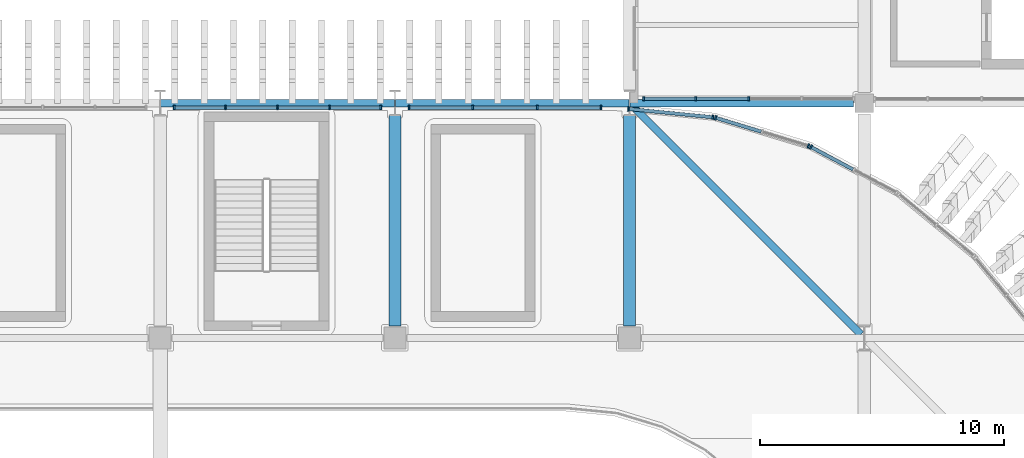
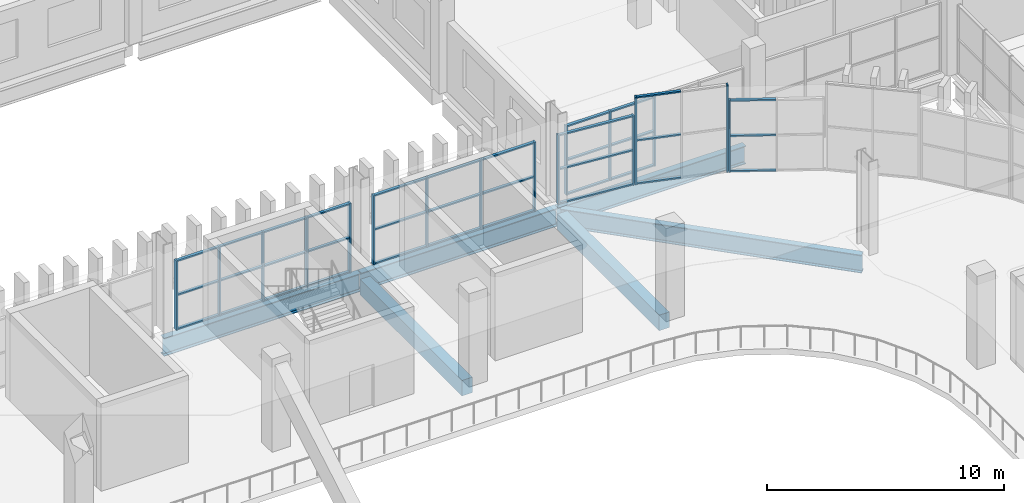
# One storey, part 34 of 100: 53 members, 6 beams, 6 elements without a shape of their own.
"""IFC4 building model written with IfcOpenShell, lengths in metres."""

from ifc_helpers import new_model, si_unit, direction, frame, origin, origin_2d, place, context, subcontext, project, spatial, rectangle, i_section, extrude, material, layer, layer_set, material_profile, profile_set, type_object, element, aggregate, save


model = new_model("IFC4")

# Units and contexts
model_context = context("Model", 3, precision=1e-05, world=origin(), true_north=direction((0.0, 1.0)))
body_context = subcontext(model_context, "Body", "Model", "MODEL_VIEW")
ifc_project = project(units=[si_unit("LENGTHUNIT", "METRE"), si_unit("AREAUNIT", "SQUARE_METRE"), si_unit("VOLUMEUNIT", "CUBIC_METRE"), si_unit("PLANEANGLEUNIT", "RADIAN"), si_unit("MASSUNIT", "GRAM", prefix="KILO")], contexts=[model_context])

# Site, building, storey
site_placement = place(None, origin())
site = spatial("IfcSite", under=ifc_project, at=site_placement, CompositionType="ELEMENT")
building_placement = place(site_placement, origin())
building = spatial("IfcBuilding", under=site, at=building_placement, Name="Caelomonte Colonnade Arena", CompositionType="ELEMENT")
storey_placement = place(building_placement, origin())
storey = spatial("IfcBuildingStorey", under=building, at=storey_placement, Name="L00", CompositionType="ELEMENT", Elevation=0.0)

# Curtain wall, members
ifc_material_1 = material(Name="Bronze anodised aluminium and low-E glazing", Category="aluminium")
ifc_layer_1 = layer(ifc_material_1, 0.179931640625)
ifc_layer_set_1 = layer_set([ifc_layer_1], Name="Bronze anodised aluminium and low-E glazing")
curtain_wall_type_1 = type_object("IfcCurtainWallType", Name="ENV-CW-CW-L00-92-36", PredefinedType="USERDEFINED", material=ifc_layer_set_1)
curtain_wall_1_placement = place(storey_placement, origin())
curtain_wall_1 = element("IfcCurtainWall", 1, at=curtain_wall_1_placement, inside=storey, type_object=curtain_wall_type_1, Name="L00 unitized curtain wall CW-L00-1486-1154", ObjectType="UNITIZED CURTAIN WALL", PredefinedType="USERDEFINED")
ifc_material_2 = material(Name="Bronze anodised aluminium AA6063-T6", Category="aluminium")
ifc_material_profile_1 = material_profile(ifc_material_2, rectangle(XDim=0.070068359375, YDim=0.179931640625, at=origin_2d()), Name="CWM-70X180")
ifc_profile_set_1 = profile_set([ifc_material_profile_1], Name="Bronze anodised aluminium AA6063-T6")
member_type_1 = type_object("IfcMemberType", Name="ENV-CW-MULL1", PredefinedType="MULLION", material=ifc_profile_set_1)
member_1_placement = place(storey_placement, frame((144.57568359375, 115.3798828125, 0.0), z_axis=(0.0, 0.0, 1.0), x_axis=(1.0, 0.0, 0.0)))
member_1 = element("IfcMember", 2, at=member_1_placement, type_object=member_type_1, Name="CW-L00-92-36 mullion 1", PredefinedType="MULLION", context=body_context, shape_type="SweptSolid", body=[
    extrude(rectangle(XDim=0.070068359375, YDim=0.179931640625, at=origin_2d()), origin(), (0.0, 0.0, 1.0), 3.572998046875),
])
member_2_placement = place(storey_placement, frame((146.706787109375, 115.3798828125, 0.0), z_axis=(0.0, 0.0, 1.0), x_axis=(1.0, 0.0, 0.0)))
member_2 = element("IfcMember", 3, at=member_2_placement, type_object=member_type_1, Name="CW-L00-92-36 mullion 2", PredefinedType="MULLION", context=body_context, shape_type="SweptSolid", body=[
    extrude(rectangle(XDim=0.070068359375, YDim=0.179931640625, at=origin_2d()), origin(), (0.0, 0.0, 1.0), 3.572998046875),
])
member_3_placement = place(storey_placement, frame((148.872802734375, 115.3798828125, 0.0), z_axis=(0.0, 0.0, 1.0), x_axis=(1.0, 0.0, 0.0)))
member_3 = element("IfcMember", 4, at=member_3_placement, type_object=member_type_1, Name="CW-L00-92-36 mullion 3", PredefinedType="MULLION", context=body_context, shape_type="SweptSolid", body=[
    extrude(rectangle(XDim=0.070068359375, YDim=0.179931640625, at=origin_2d()), origin(), (0.0, 0.0, 1.0), 3.572998046875),
])

# Curtain wall, member
ifc_layer_2 = layer(ifc_material_1, 0.179931640625)
ifc_layer_set_2 = layer_set([ifc_layer_2], Name="Bronze anodised aluminium and low-E glazing")
curtain_wall_type_2 = type_object("IfcCurtainWallType", Name="ENV-CW-CW-L00-44-37", PredefinedType="USERDEFINED", material=ifc_layer_set_2)
curtain_wall_2_placement = place(storey_placement, origin())
curtain_wall_2 = element("IfcCurtainWall", 5, at=curtain_wall_2_placement, inside=storey, type_object=curtain_wall_type_2, Name="L00 unitized curtain wall CW-L00-1532-1125", ObjectType="UNITIZED CURTAIN WALL", PredefinedType="USERDEFINED")
member_4_placement = place(storey_placement, frame((151.417724609375, 113.407470703125, 0.0), z_axis=(0.0, 0.0, 1.0), x_axis=(-0.881922613642, 0.471394212466, 0.0)))
member_4 = element("IfcMember", 6, at=member_4_placement, type_object=member_type_1, Name="CW-L00-44-37 mullion 3", PredefinedType="MULLION", context=body_context, shape_type="SweptSolid", body=[
    extrude(rectangle(XDim=0.070068359375, YDim=0.179931640625, at=origin_2d()), origin(), (0.0, 0.0, 1.0), 3.699951171875),
])

# Curtain wall, members
ifc_layer_3 = layer(ifc_material_1, 0.179931640625)
ifc_layer_set_3 = layer_set([ifc_layer_3], Name="Bronze anodised aluminium and low-E glazing")
curtain_wall_type_3 = type_object("IfcCurtainWallType", Name="ENV-CW-CW-L00-44-45", PredefinedType="USERDEFINED", material=ifc_layer_set_3)
curtain_wall_3_placement = place(storey_placement, origin())
curtain_wall_3 = element("IfcCurtainWall", 7, at=curtain_wall_3_placement, inside=storey, type_object=curtain_wall_type_3, Name="L00 unitized curtain wall CW-L00-1494-1140", ObjectType="UNITIZED CURTAIN WALL", PredefinedType="USERDEFINED")
member_5_placement = place(storey_placement, frame((151.3125, 113.451171875, 0.0), z_axis=(0.0, 0.0, 1.0), x_axis=(-0.956949160999, 0.290255582655, 0.0)))
member_5 = element("IfcMember", 8, at=member_5_placement, type_object=member_type_1, Name="CW-L00-44-45 mullion 1", PredefinedType="MULLION", context=body_context, shape_type="SweptSolid", body=[
    extrude(rectangle(XDim=0.070068359375, YDim=0.179931640625, at=origin_2d()), origin(), (0.0, 0.0, 1.0), 4.5),
])
member_6_placement = place(storey_placement, frame((147.516357421875, 114.6025390625, 0.0), z_axis=(0.0, 0.0, 1.0), x_axis=(-0.956949160999, 0.290255582655, 0.0)))
member_6 = element("IfcMember", 9, at=member_6_placement, type_object=member_type_1, Name="CW-L00-44-45 mullion 3", PredefinedType="MULLION", context=body_context, shape_type="SweptSolid", body=[
    extrude(rectangle(XDim=0.070068359375, YDim=0.179931640625, at=origin_2d()), origin(), (0.0, 0.0, 1.0), 4.5),
])

ifc_layer_4 = layer(ifc_material_1, 0.179931640625)
ifc_layer_set_4 = layer_set([ifc_layer_4], Name="Bronze anodised aluminium and low-E glazing")
curtain_wall_type_4 = type_object("IfcCurtainWallType", Name="ENV-CW-CW-L00-42-36", PredefinedType="USERDEFINED", material=ifc_layer_set_4)
curtain_wall_4_placement = place(storey_placement, origin())
curtain_wall_4 = element("IfcCurtainWall", 10, at=curtain_wall_4_placement, inside=storey, type_object=curtain_wall_type_4, Name="L00 unitized curtain wall CW-L00-1455-1148", ObjectType="UNITIZED CURTAIN WALL", PredefinedType="USERDEFINED")
member_7_placement = place(storey_placement, frame((147.404541015625, 114.624755859375, 0.0), z_axis=(0.0, 0.0, 1.0), x_axis=(-0.995184213442, 0.098022351103, 0.0)))
member_7 = element("IfcMember", 11, at=member_7_placement, type_object=member_type_1, Name="CW-L00-42-36 mullion 1", PredefinedType="MULLION", context=body_context, shape_type="SweptSolid", body=[
    extrude(rectangle(XDim=0.070068359375, YDim=0.179931640625, at=origin_2d()), origin(), (0.0, 0.0, 1.0), 3.572998046875),
])
member_8_placement = place(storey_placement, frame((143.955322265625, 114.96435546875, 0.0), z_axis=(0.0, 0.0, 1.0), x_axis=(-0.995184213442, 0.098022351103, 0.0)))
member_8 = element("IfcMember", 12, at=member_8_placement, type_object=member_type_1, Name="CW-L00-42-36 mullion 2", PredefinedType="MULLION", context=body_context, shape_type="SweptSolid", body=[
    extrude(rectangle(XDim=0.070068359375, YDim=0.179931640625, at=origin_2d()), origin(), (0.0, 0.0, 1.0), 3.572998046875),
])

ifc_layer_5 = layer(ifc_material_1, 0.179931640625)
ifc_layer_set_5 = layer_set([ifc_layer_5], Name="Bronze anodised aluminium and low-E glazing")
curtain_wall_type_5 = type_object("IfcCurtainWallType", Name="ENV-CW-CW-L00-90-36", PredefinedType="USERDEFINED", material=ifc_layer_set_5)
curtain_wall_5_placement = place(storey_placement, origin())
curtain_wall_5 = element("IfcCurtainWall", 13, at=curtain_wall_5_placement, inside=storey, type_object=curtain_wall_type_5, Name="L00 unitized curtain wall CW-L00-1389-1150", ObjectType="UNITIZED CURTAIN WALL", PredefinedType="USERDEFINED")
member_9_placement = place(storey_placement, frame((142.82421875, 115.02001953125, 0.0), z_axis=(0.0, 0.0, 1.0), x_axis=(-1.0, 0.0, 0.0)))
member_9 = element("IfcMember", 14, at=member_9_placement, type_object=member_type_1, Name="CW-L00-90-36 mullion 1", PredefinedType="MULLION", context=body_context, shape_type="SweptSolid", body=[
    extrude(rectangle(XDim=0.070068359375, YDim=0.179931640625, at=origin_2d()), origin(), (0.0, 0.0, 1.0), 3.572998046875),
])
member_10_placement = place(storey_placement, frame((140.2197265625, 115.02001953125, 0.0), z_axis=(0.0, 0.0, 1.0), x_axis=(-1.0, 0.0, 0.0)))
member_10 = element("IfcMember", 15, at=member_10_placement, type_object=member_type_1, Name="CW-L00-90-36 mullion 2", PredefinedType="MULLION", context=body_context, shape_type="SweptSolid", body=[
    extrude(rectangle(XDim=0.070068359375, YDim=0.179931640625, at=origin_2d()), origin(), (0.0, 0.0, 1.0), 3.572998046875),
])
member_11_placement = place(storey_placement, frame((137.580322265625, 115.02001953125, 0.0), z_axis=(0.0, 0.0, 1.0), x_axis=(-1.0, 0.0, 0.0)))
member_11 = element("IfcMember", 16, at=member_11_placement, type_object=member_type_1, Name="CW-L00-90-36 mullion 3", PredefinedType="MULLION", context=body_context, shape_type="SweptSolid", body=[
    extrude(rectangle(XDim=0.070068359375, YDim=0.179931640625, at=origin_2d()), origin(), (0.0, 0.0, 1.0), 3.572998046875),
])
member_12_placement = place(storey_placement, frame((134.9755859375, 115.02001953125, 0.0), z_axis=(0.0, 0.0, 1.0), x_axis=(-1.0, 0.0, 0.0)))
member_12 = element("IfcMember", 17, at=member_12_placement, type_object=member_type_1, Name="CW-L00-90-36 mullion 4", PredefinedType="MULLION", context=body_context, shape_type="SweptSolid", body=[
    extrude(rectangle(XDim=0.070068359375, YDim=0.179931640625, at=origin_2d()), origin(), (0.0, 0.0, 1.0), 3.572998046875),
])

ifc_layer_6 = layer(ifc_material_1, 0.179931640625)
ifc_layer_set_6 = layer_set([ifc_layer_6], Name="Bronze anodised aluminium and low-E glazing")
curtain_wall_type_6 = type_object("IfcCurtainWallType", Name="ENV-CW-CW-L00-96-36", PredefinedType="USERDEFINED", material=ifc_layer_set_6)
curtain_wall_6_placement = place(storey_placement, origin())
curtain_wall_6 = element("IfcCurtainWall", 18, at=curtain_wall_6_placement, inside=storey, type_object=curtain_wall_type_6, Name="L00 unitized curtain wall CW-L00-1296-1150", ObjectType="UNITIZED CURTAIN WALL", PredefinedType="USERDEFINED")
member_13_placement = place(storey_placement, frame((133.82421875, 115.02001953125, 0.0), z_axis=(0.0, 0.0, 1.0), x_axis=(-1.0, 0.0, 0.0)))
member_13 = element("IfcMember", 19, at=member_13_placement, type_object=member_type_1, Name="CW-L00-96-36 mullion 1", PredefinedType="MULLION", context=body_context, shape_type="SweptSolid", body=[
    extrude(rectangle(XDim=0.070068359375, YDim=0.179931640625, at=origin_2d()), origin(), (0.0, 0.0, 1.0), 3.572998046875),
])
member_14_placement = place(storey_placement, frame((131.729736328125, 115.02001953125, 0.0), z_axis=(0.0, 0.0, 1.0), x_axis=(-1.0, 0.0, 0.0)))
member_14 = element("IfcMember", 20, at=member_14_placement, type_object=member_type_1, Name="CW-L00-96-36 mullion 2", PredefinedType="MULLION", context=body_context, shape_type="SweptSolid", body=[
    extrude(rectangle(XDim=0.070068359375, YDim=0.179931640625, at=origin_2d()), origin(), (0.0, 0.0, 1.0), 3.572998046875),
])
member_15_placement = place(storey_placement, frame((129.60009765625, 115.02001953125, 0.0), z_axis=(0.0, 0.0, 1.0), x_axis=(-1.0, 0.0, 0.0)))
member_15 = element("IfcMember", 21, at=member_15_placement, type_object=member_type_1, Name="CW-L00-96-36 mullion 3", PredefinedType="MULLION", context=body_context, shape_type="SweptSolid", body=[
    extrude(rectangle(XDim=0.070068359375, YDim=0.179931640625, at=origin_2d()), origin(), (0.0, 0.0, 1.0), 3.572998046875),
])
member_16_placement = place(storey_placement, frame((127.470458984375, 115.02001953125, 0.0), z_axis=(0.0, 0.0, 1.0), x_axis=(-1.0, 0.0, 0.0)))
member_16 = element("IfcMember", 22, at=member_16_placement, type_object=member_type_1, Name="CW-L00-96-36 mullion 4", PredefinedType="MULLION", context=body_context, shape_type="SweptSolid", body=[
    extrude(rectangle(XDim=0.070068359375, YDim=0.179931640625, at=origin_2d()), origin(), (0.0, 0.0, 1.0), 3.572998046875),
])
member_17_placement = place(storey_placement, frame((125.375732421875, 115.02001953125, 0.0), z_axis=(0.0, 0.0, 1.0), x_axis=(-1.0, 0.0, 0.0)))
member_17 = element("IfcMember", 23, at=member_17_placement, type_object=member_type_1, Name="CW-L00-96-36 mullion 5", PredefinedType="MULLION", context=body_context, shape_type="SweptSolid", body=[
    extrude(rectangle(XDim=0.070068359375, YDim=0.179931640625, at=origin_2d()), origin(), (0.0, 0.0, 1.0), 3.572998046875),
])

# Member
ifc_material_profile_2 = material_profile(ifc_material_2, rectangle(XDim=0.070068359375, YDim=0.139892578125, at=origin_2d()), Name="CWT-70X140")
ifc_profile_set_2 = profile_set([ifc_material_profile_2], Name="Bronze anodised aluminium AA6063-T6")
member_type_2 = type_object("IfcMemberType", Name="ENV-CW-TRAN1", PredefinedType="USERDEFINED", material=ifc_profile_set_2)
member_18_placement = place(storey_placement, frame((144.610595703125, 115.3798828125, 0.034912109375), z_axis=(1.0, 0.0, 0.0), x_axis=(0.0, 0.0, 1.0)))
member_18 = element("IfcMember", 24, at=member_18_placement, type_object=member_type_2, Name="CW-L00-92-36 transom 1.1", ObjectType="TRANSOM", PredefinedType="USERDEFINED", context=body_context, shape_type="SweptSolid", body=[
    extrude(rectangle(XDim=0.070068359375, YDim=0.139892578125, at=origin_2d()), origin(), (0.0, 0.0, 1.0), 2.061279296875),
])

member_19_placement = place(storey_placement, frame((144.610595703125, 115.3798828125, 1.78662109375), z_axis=(1.0, 0.0, 0.0), x_axis=(0.0, 0.0, 1.0)))
member_19 = element("IfcMember", 25, at=member_19_placement, type_object=member_type_2, Name="CW-L00-92-36 transom 1.2", ObjectType="TRANSOM", PredefinedType="USERDEFINED", context=body_context, shape_type="SweptSolid", body=[
    extrude(rectangle(XDim=0.070068359375, YDim=0.139892578125, at=origin_2d()), origin(), (0.0, 0.0, 1.0), 2.061279296875),
])

member_20_placement = place(storey_placement, frame((144.610595703125, 115.3798828125, 3.5380859375), z_axis=(1.0, 0.0, 0.0), x_axis=(0.0, 0.0, 1.0)))
member_20 = element("IfcMember", 26, at=member_20_placement, type_object=member_type_2, Name="CW-L00-92-36 transom 1.3", ObjectType="TRANSOM", PredefinedType="USERDEFINED", context=body_context, shape_type="SweptSolid", body=[
    extrude(rectangle(XDim=0.070068359375, YDim=0.139892578125, at=origin_2d()), origin(), (0.0, 0.0, 1.0), 2.061279296875),
])

member_21_placement = place(storey_placement, frame((146.74169921875, 115.3798828125, 0.034912109375), z_axis=(1.0, 0.0, 0.0), x_axis=(0.0, 0.0, 1.0)))
member_21 = element("IfcMember", 27, at=member_21_placement, type_object=member_type_2, Name="CW-L00-92-36 transom 2.1", ObjectType="TRANSOM", PredefinedType="USERDEFINED", context=body_context, shape_type="SweptSolid", body=[
    extrude(rectangle(XDim=0.070068359375, YDim=0.139892578125, at=origin_2d()), origin(), (0.0, 0.0, 1.0), 2.09619140625),
])

member_22_placement = place(storey_placement, frame((146.74169921875, 115.3798828125, 1.78662109375), z_axis=(1.0, 0.0, 0.0), x_axis=(0.0, 0.0, 1.0)))
member_22 = element("IfcMember", 28, at=member_22_placement, type_object=member_type_2, Name="CW-L00-92-36 transom 2.2", ObjectType="TRANSOM", PredefinedType="USERDEFINED", context=body_context, shape_type="SweptSolid", body=[
    extrude(rectangle(XDim=0.070068359375, YDim=0.139892578125, at=origin_2d()), origin(), (0.0, 0.0, 1.0), 2.09619140625),
])

member_23_placement = place(storey_placement, frame((146.74169921875, 115.3798828125, 3.5380859375), z_axis=(1.0, 0.0, 0.0), x_axis=(0.0, 0.0, 1.0)))
member_23 = element("IfcMember", 29, at=member_23_placement, type_object=member_type_2, Name="CW-L00-92-36 transom 2.3", ObjectType="TRANSOM", PredefinedType="USERDEFINED", context=body_context, shape_type="SweptSolid", body=[
    extrude(rectangle(XDim=0.070068359375, YDim=0.139892578125, at=origin_2d()), origin(), (0.0, 0.0, 1.0), 2.09619140625),
])

aggregate(curtain_wall_1, [member_1, member_2, member_3, member_18, member_19, member_20, member_21, member_22, member_23])

member_24_placement = place(storey_placement, frame((153.135986328125, 112.489013671875, 0.034912109375), z_axis=(-0.88194995936, 0.471343048304, 0.0), x_axis=(0.0, 0.0, 1.0)))
member_24 = element("IfcMember", 30, at=member_24_placement, type_object=member_type_2, Name="CW-L00-44-37 transom 2.1", ObjectType="TRANSOM", PredefinedType="USERDEFINED", context=body_context, shape_type="SweptSolid", body=[
    extrude(rectangle(XDim=0.070068359375, YDim=0.139892578125, at=origin_2d()), origin(), (0.0, 0.0, 1.0), 1.913330078125),
])

member_25_placement = place(storey_placement, frame((153.135986328125, 112.489013671875, 1.85009765625), z_axis=(-0.88194995936, 0.471343048304, 0.0), x_axis=(0.0, 0.0, 1.0)))
member_25 = element("IfcMember", 31, at=member_25_placement, type_object=member_type_2, Name="CW-L00-44-37 transom 2.2", ObjectType="TRANSOM", PredefinedType="USERDEFINED", context=body_context, shape_type="SweptSolid", body=[
    extrude(rectangle(XDim=0.070068359375, YDim=0.139892578125, at=origin_2d()), origin(), (0.0, 0.0, 1.0), 1.913330078125),
])

member_26_placement = place(storey_placement, frame((153.135986328125, 112.489013671875, 3.6650390625), z_axis=(-0.88194995936, 0.471343048304, 0.0), x_axis=(0.0, 0.0, 1.0)))
member_26 = element("IfcMember", 32, at=member_26_placement, type_object=member_type_2, Name="CW-L00-44-37 transom 2.3", ObjectType="TRANSOM", PredefinedType="USERDEFINED", context=body_context, shape_type="SweptSolid", body=[
    extrude(rectangle(XDim=0.070068359375, YDim=0.139892578125, at=origin_2d()), origin(), (0.0, 0.0, 1.0), 1.913330078125),
])

aggregate(curtain_wall_2, [member_4, member_24, member_25, member_26])

member_27_placement = place(storey_placement, frame((149.380859375, 114.036865234375, 0.034912109375), z_axis=(-0.956943884494, 0.290272978297, 0.0), x_axis=(0.0, 0.0, 1.0)))
member_27 = element("IfcMember", 33, at=member_27_placement, type_object=member_type_2, Name="CW-L00-44-45 transom 2.1", ObjectType="TRANSOM", PredefinedType="USERDEFINED", context=body_context, shape_type="SweptSolid", body=[
    extrude(rectangle(XDim=0.070068359375, YDim=0.139892578125, at=origin_2d()), origin(), (0.0, 0.0, 1.0), 1.913330078125),
])

member_28_placement = place(storey_placement, frame((149.380859375, 114.036865234375, 2.25), z_axis=(-0.956943884494, 0.290272978297, 0.0), x_axis=(0.0, 0.0, 1.0)))
member_28 = element("IfcMember", 34, at=member_28_placement, type_object=member_type_2, Name="CW-L00-44-45 transom 2.2", ObjectType="TRANSOM", PredefinedType="USERDEFINED", context=body_context, shape_type="SweptSolid", body=[
    extrude(rectangle(XDim=0.070068359375, YDim=0.139892578125, at=origin_2d()), origin(), (0.0, 0.0, 1.0), 1.913330078125),
])

member_29_placement = place(storey_placement, frame((149.380859375, 114.036865234375, 4.465087890625), z_axis=(-0.956943884494, 0.290272978297, 0.0), x_axis=(0.0, 0.0, 1.0)))
member_29 = element("IfcMember", 35, at=member_29_placement, type_object=member_type_2, Name="CW-L00-44-45 transom 2.3", ObjectType="TRANSOM", PredefinedType="USERDEFINED", context=body_context, shape_type="SweptSolid", body=[
    extrude(rectangle(XDim=0.070068359375, YDim=0.139892578125, at=origin_2d()), origin(), (0.0, 0.0, 1.0), 1.913330078125),
])

aggregate(curtain_wall_3, [member_5, member_6, member_27, member_28, member_29])

member_30_placement = place(storey_placement, frame((147.36962890625, 114.628173828125, 0.034912109375), z_axis=(-0.995186956625, 0.097994496596, 0.0), x_axis=(0.0, 0.0, 1.0)))
member_30 = element("IfcMember", 36, at=member_30_placement, type_object=member_type_2, Name="CW-L00-42-36 transom 1.1", ObjectType="TRANSOM", PredefinedType="USERDEFINED", context=body_context, shape_type="SweptSolid", body=[
    extrude(rectangle(XDim=0.070068359375, YDim=0.139892578125, at=origin_2d()), origin(), (0.0, 0.0, 1.0), 3.395751953125),
])

member_31_placement = place(storey_placement, frame((147.36962890625, 114.628173828125, 1.78662109375), z_axis=(-0.995186956625, 0.097994496596, 0.0), x_axis=(0.0, 0.0, 1.0)))
member_31 = element("IfcMember", 37, at=member_31_placement, type_object=member_type_2, Name="CW-L00-42-36 transom 1.2", ObjectType="TRANSOM", PredefinedType="USERDEFINED", context=body_context, shape_type="SweptSolid", body=[
    extrude(rectangle(XDim=0.070068359375, YDim=0.139892578125, at=origin_2d()), origin(), (0.0, 0.0, 1.0), 3.395751953125),
])

member_32_placement = place(storey_placement, frame((147.36962890625, 114.628173828125, 3.5380859375), z_axis=(-0.995186956625, 0.097994496596, 0.0), x_axis=(0.0, 0.0, 1.0)))
member_32 = element("IfcMember", 38, at=member_32_placement, type_object=member_type_2, Name="CW-L00-42-36 transom 1.3", ObjectType="TRANSOM", PredefinedType="USERDEFINED", context=body_context, shape_type="SweptSolid", body=[
    extrude(rectangle(XDim=0.070068359375, YDim=0.139892578125, at=origin_2d()), origin(), (0.0, 0.0, 1.0), 3.395751953125),
])

aggregate(curtain_wall_4, [member_7, member_8, member_30, member_31, member_32])

member_33_placement = place(storey_placement, frame((142.789306640625, 115.02001953125, 0.034912109375), z_axis=(-1.0, 0.0, 0.0), x_axis=(0.0, 0.0, 1.0)))
member_33 = element("IfcMember", 39, at=member_33_placement, type_object=member_type_2, Name="CW-L00-90-36 transom 1.1", ObjectType="TRANSOM", PredefinedType="USERDEFINED", context=body_context, shape_type="SweptSolid", body=[
    extrude(rectangle(XDim=0.070068359375, YDim=0.139892578125, at=origin_2d()), origin(), (0.0, 0.0, 1.0), 2.534423828125),
])

member_34_placement = place(storey_placement, frame((142.789306640625, 115.02001953125, 1.78662109375), z_axis=(-1.0, 0.0, 0.0), x_axis=(0.0, 0.0, 1.0)))
member_34 = element("IfcMember", 40, at=member_34_placement, type_object=member_type_2, Name="CW-L00-90-36 transom 1.2", ObjectType="TRANSOM", PredefinedType="USERDEFINED", context=body_context, shape_type="SweptSolid", body=[
    extrude(rectangle(XDim=0.070068359375, YDim=0.139892578125, at=origin_2d()), origin(), (0.0, 0.0, 1.0), 2.534423828125),
])

member_35_placement = place(storey_placement, frame((142.789306640625, 115.02001953125, 3.5380859375), z_axis=(-1.0, 0.0, 0.0), x_axis=(0.0, 0.0, 1.0)))
member_35 = element("IfcMember", 41, at=member_35_placement, type_object=member_type_2, Name="CW-L00-90-36 transom 1.3", ObjectType="TRANSOM", PredefinedType="USERDEFINED", context=body_context, shape_type="SweptSolid", body=[
    extrude(rectangle(XDim=0.070068359375, YDim=0.139892578125, at=origin_2d()), origin(), (0.0, 0.0, 1.0), 2.534423828125),
])

member_36_placement = place(storey_placement, frame((140.184814453125, 115.02001953125, 0.034912109375), z_axis=(-1.0, 0.0, 0.0), x_axis=(0.0, 0.0, 1.0)))
member_36 = element("IfcMember", 42, at=member_36_placement, type_object=member_type_2, Name="CW-L00-90-36 transom 2.1", ObjectType="TRANSOM", PredefinedType="USERDEFINED", context=body_context, shape_type="SweptSolid", body=[
    extrude(rectangle(XDim=0.070068359375, YDim=0.139892578125, at=origin_2d()), origin(), (0.0, 0.0, 1.0), 2.569580078125),
])

member_37_placement = place(storey_placement, frame((140.184814453125, 115.02001953125, 1.78662109375), z_axis=(-1.0, 0.0, 0.0), x_axis=(0.0, 0.0, 1.0)))
member_37 = element("IfcMember", 43, at=member_37_placement, type_object=member_type_2, Name="CW-L00-90-36 transom 2.2", ObjectType="TRANSOM", PredefinedType="USERDEFINED", context=body_context, shape_type="SweptSolid", body=[
    extrude(rectangle(XDim=0.070068359375, YDim=0.139892578125, at=origin_2d()), origin(), (0.0, 0.0, 1.0), 2.569580078125),
])

member_38_placement = place(storey_placement, frame((140.184814453125, 115.02001953125, 3.5380859375), z_axis=(-1.0, 0.0, 0.0), x_axis=(0.0, 0.0, 1.0)))
member_38 = element("IfcMember", 44, at=member_38_placement, type_object=member_type_2, Name="CW-L00-90-36 transom 2.3", ObjectType="TRANSOM", PredefinedType="USERDEFINED", context=body_context, shape_type="SweptSolid", body=[
    extrude(rectangle(XDim=0.070068359375, YDim=0.139892578125, at=origin_2d()), origin(), (0.0, 0.0, 1.0), 2.569580078125),
])

member_39_placement = place(storey_placement, frame((137.545166015625, 115.02001953125, 0.034912109375), z_axis=(-1.0, 0.0, 0.0), x_axis=(0.0, 0.0, 1.0)))
member_39 = element("IfcMember", 45, at=member_39_placement, type_object=member_type_2, Name="CW-L00-90-36 transom 3.1", ObjectType="TRANSOM", PredefinedType="USERDEFINED", context=body_context, shape_type="SweptSolid", body=[
    extrude(rectangle(XDim=0.070068359375, YDim=0.139892578125, at=origin_2d()), origin(), (0.0, 0.0, 1.0), 2.534423828125),
])

member_40_placement = place(storey_placement, frame((137.545166015625, 115.02001953125, 1.78662109375), z_axis=(-1.0, 0.0, 0.0), x_axis=(0.0, 0.0, 1.0)))
member_40 = element("IfcMember", 46, at=member_40_placement, type_object=member_type_2, Name="CW-L00-90-36 transom 3.2", ObjectType="TRANSOM", PredefinedType="USERDEFINED", context=body_context, shape_type="SweptSolid", body=[
    extrude(rectangle(XDim=0.070068359375, YDim=0.139892578125, at=origin_2d()), origin(), (0.0, 0.0, 1.0), 2.534423828125),
])

member_41_placement = place(storey_placement, frame((137.545166015625, 115.02001953125, 3.5380859375), z_axis=(-1.0, 0.0, 0.0), x_axis=(0.0, 0.0, 1.0)))
member_41 = element("IfcMember", 47, at=member_41_placement, type_object=member_type_2, Name="CW-L00-90-36 transom 3.3", ObjectType="TRANSOM", PredefinedType="USERDEFINED", context=body_context, shape_type="SweptSolid", body=[
    extrude(rectangle(XDim=0.070068359375, YDim=0.139892578125, at=origin_2d()), origin(), (0.0, 0.0, 1.0), 2.534423828125),
])

aggregate(curtain_wall_5, [member_9, member_10, member_11, member_12, member_33, member_34, member_35, member_36, member_37, member_38, member_39, member_40, member_41])

member_42_placement = place(storey_placement, frame((133.789306640625, 115.02001953125, 0.034912109375), z_axis=(-1.0, 0.0, 0.0), x_axis=(0.0, 0.0, 1.0)))
member_42 = element("IfcMember", 48, at=member_42_placement, type_object=member_type_2, Name="CW-L00-96-36 transom 1.1", ObjectType="TRANSOM", PredefinedType="USERDEFINED", context=body_context, shape_type="SweptSolid", body=[
    extrude(rectangle(XDim=0.070068359375, YDim=0.139892578125, at=origin_2d()), origin(), (0.0, 0.0, 1.0), 2.024658203125),
])

member_43_placement = place(storey_placement, frame((133.789306640625, 115.02001953125, 1.78662109375), z_axis=(-1.0, 0.0, 0.0), x_axis=(0.0, 0.0, 1.0)))
member_43 = element("IfcMember", 49, at=member_43_placement, type_object=member_type_2, Name="CW-L00-96-36 transom 1.2", ObjectType="TRANSOM", PredefinedType="USERDEFINED", context=body_context, shape_type="SweptSolid", body=[
    extrude(rectangle(XDim=0.070068359375, YDim=0.139892578125, at=origin_2d()), origin(), (0.0, 0.0, 1.0), 2.024658203125),
])

member_44_placement = place(storey_placement, frame((133.789306640625, 115.02001953125, 3.5380859375), z_axis=(-1.0, 0.0, 0.0), x_axis=(0.0, 0.0, 1.0)))
member_44 = element("IfcMember", 50, at=member_44_placement, type_object=member_type_2, Name="CW-L00-96-36 transom 1.3", ObjectType="TRANSOM", PredefinedType="USERDEFINED", context=body_context, shape_type="SweptSolid", body=[
    extrude(rectangle(XDim=0.070068359375, YDim=0.139892578125, at=origin_2d()), origin(), (0.0, 0.0, 1.0), 2.024658203125),
])

member_45_placement = place(storey_placement, frame((131.694580078125, 115.02001953125, 0.034912109375), z_axis=(-1.0, 0.0, 0.0), x_axis=(0.0, 0.0, 1.0)))
member_45 = element("IfcMember", 51, at=member_45_placement, type_object=member_type_2, Name="CW-L00-96-36 transom 2.1", ObjectType="TRANSOM", PredefinedType="USERDEFINED", context=body_context, shape_type="SweptSolid", body=[
    extrude(rectangle(XDim=0.070068359375, YDim=0.139892578125, at=origin_2d()), origin(), (0.0, 0.0, 1.0), 2.0595703125),
])

member_46_placement = place(storey_placement, frame((131.694580078125, 115.02001953125, 1.78662109375), z_axis=(-1.0, 0.0, 0.0), x_axis=(0.0, 0.0, 1.0)))
member_46 = element("IfcMember", 52, at=member_46_placement, type_object=member_type_2, Name="CW-L00-96-36 transom 2.2", ObjectType="TRANSOM", PredefinedType="USERDEFINED", context=body_context, shape_type="SweptSolid", body=[
    extrude(rectangle(XDim=0.070068359375, YDim=0.139892578125, at=origin_2d()), origin(), (0.0, 0.0, 1.0), 2.0595703125),
])

member_47_placement = place(storey_placement, frame((131.694580078125, 115.02001953125, 3.5380859375), z_axis=(-1.0, 0.0, 0.0), x_axis=(0.0, 0.0, 1.0)))
member_47 = element("IfcMember", 53, at=member_47_placement, type_object=member_type_2, Name="CW-L00-96-36 transom 2.3", ObjectType="TRANSOM", PredefinedType="USERDEFINED", context=body_context, shape_type="SweptSolid", body=[
    extrude(rectangle(XDim=0.070068359375, YDim=0.139892578125, at=origin_2d()), origin(), (0.0, 0.0, 1.0), 2.0595703125),
])

member_48_placement = place(storey_placement, frame((129.56494140625, 115.02001953125, 0.034912109375), z_axis=(-1.0, 0.0, 0.0), x_axis=(0.0, 0.0, 1.0)))
member_48 = element("IfcMember", 54, at=member_48_placement, type_object=member_type_2, Name="CW-L00-96-36 transom 3.1", ObjectType="TRANSOM", PredefinedType="USERDEFINED", context=body_context, shape_type="SweptSolid", body=[
    extrude(rectangle(XDim=0.070068359375, YDim=0.139892578125, at=origin_2d()), origin(), (0.0, 0.0, 1.0), 2.0595703125),
])

member_49_placement = place(storey_placement, frame((129.56494140625, 115.02001953125, 1.78662109375), z_axis=(-1.0, 0.0, 0.0), x_axis=(0.0, 0.0, 1.0)))
member_49 = element("IfcMember", 55, at=member_49_placement, type_object=member_type_2, Name="CW-L00-96-36 transom 3.2", ObjectType="TRANSOM", PredefinedType="USERDEFINED", context=body_context, shape_type="SweptSolid", body=[
    extrude(rectangle(XDim=0.070068359375, YDim=0.139892578125, at=origin_2d()), origin(), (0.0, 0.0, 1.0), 2.0595703125),
])

member_50_placement = place(storey_placement, frame((129.56494140625, 115.02001953125, 3.5380859375), z_axis=(-1.0, 0.0, 0.0), x_axis=(0.0, 0.0, 1.0)))
member_50 = element("IfcMember", 56, at=member_50_placement, type_object=member_type_2, Name="CW-L00-96-36 transom 3.3", ObjectType="TRANSOM", PredefinedType="USERDEFINED", context=body_context, shape_type="SweptSolid", body=[
    extrude(rectangle(XDim=0.070068359375, YDim=0.139892578125, at=origin_2d()), origin(), (0.0, 0.0, 1.0), 2.0595703125),
])

member_51_placement = place(storey_placement, frame((127.435302734375, 115.02001953125, 0.034912109375), z_axis=(-1.0, 0.0, 0.0), x_axis=(0.0, 0.0, 1.0)))
member_51 = element("IfcMember", 57, at=member_51_placement, type_object=member_type_2, Name="CW-L00-96-36 transom 4.1", ObjectType="TRANSOM", PredefinedType="USERDEFINED", context=body_context, shape_type="SweptSolid", body=[
    extrude(rectangle(XDim=0.070068359375, YDim=0.139892578125, at=origin_2d()), origin(), (0.0, 0.0, 1.0), 2.024658203125),
])

member_52_placement = place(storey_placement, frame((127.435302734375, 115.02001953125, 1.78662109375), z_axis=(-1.0, 0.0, 0.0), x_axis=(0.0, 0.0, 1.0)))
member_52 = element("IfcMember", 58, at=member_52_placement, type_object=member_type_2, Name="CW-L00-96-36 transom 4.2", ObjectType="TRANSOM", PredefinedType="USERDEFINED", context=body_context, shape_type="SweptSolid", body=[
    extrude(rectangle(XDim=0.070068359375, YDim=0.139892578125, at=origin_2d()), origin(), (0.0, 0.0, 1.0), 2.024658203125),
])

member_53_placement = place(storey_placement, frame((127.435302734375, 115.02001953125, 3.5380859375), z_axis=(-1.0, 0.0, 0.0), x_axis=(0.0, 0.0, 1.0)))
member_53 = element("IfcMember", 59, at=member_53_placement, type_object=member_type_2, Name="CW-L00-96-36 transom 4.3", ObjectType="TRANSOM", PredefinedType="USERDEFINED", context=body_context, shape_type="SweptSolid", body=[
    extrude(rectangle(XDim=0.070068359375, YDim=0.139892578125, at=origin_2d()), origin(), (0.0, 0.0, 1.0), 2.024658203125),
])

aggregate(curtain_wall_6, [member_13, member_14, member_15, member_16, member_17, member_42, member_43, member_44, member_45, member_46, member_47, member_48, member_49, member_50, member_51, member_52, member_53])

# Beams
ifc_material_3 = material(Name="Wide-flange steel ASTM A992 Grade 50", Category="steel")
ifc_material_profile_3 = material_profile(ifc_material_3, i_section(OverallWidth=0.307861328125, OverallDepth=0.927001953125, WebThickness=0.019287109375, FlangeThickness=0.031982421875, FilletRadius=0.020263671875, at=origin_2d()), Name="W36X194")
ifc_profile_set_3 = profile_set([ifc_material_profile_3], Name="Wide-flange steel ASTM A992 Grade 50")
beam_type_1 = type_object("IfcBeamType", Name="STR-BM-EAVES2", PredefinedType="SPANDREL", material=ifc_profile_set_3)
for number, where, z_axis, x_axis, name in (
    (60, (124.8154296875, 115.199951171875, -0.763427734375), (1.0, 0.0, 0.0), (0.0, 1.0, 0.0), "L00 girder BMX-L00-1248-1152"),
    (61, (134.41552734375, 115.199951171875, -0.763427734375), (1.0, 0.0, 0.0), (0.0, 1.0, 0.0), "L00 girder BMX-L00-1344-1152"),
):
    element("IfcBeam", number, at=place(storey_placement, frame(where, z_axis=z_axis, x_axis=x_axis)), inside=storey, type_object=beam_type_1, Name=name, PredefinedType="SPANDREL", context=body_context, shape_type="SweptSolid", body=[
        extrude(i_section(OverallWidth=0.307861328125, OverallDepth=0.927001953125, WebThickness=0.019287109375, FlangeThickness=0.031982421875, FilletRadius=0.020263671875, at=origin_2d()), origin(), (0.0, 0.0, 1.0), 9.569091796875),
    ])
beam_1_placement = place(storey_placement, frame((144.015380859375, 115.199951171875, -0.763427734375), z_axis=(1.0, 0.0, 0.0), x_axis=(0.0, 1.0, 0.0)))
element("IfcBeam", 62, at=beam_1_placement, inside=storey, type_object=beam_type_1, Name="L00 girder BMX-L00-1440-1152", PredefinedType="SPANDREL", context=body_context, shape_type="SweptSolid", body=[
    extrude(i_section(OverallWidth=0.307861328125, OverallDepth=0.927001953125, WebThickness=0.019287109375, FlangeThickness=0.031982421875, FilletRadius=0.020263671875, at=origin_2d()), origin(), (0.0, 0.0, 1.0), 9.142578125),
])
beam_2_placement = place(storey_placement, frame((153.45458984375, 105.745361328125, -0.763427734375), z_axis=(-0.707106781187, 0.707106781187, 0.0), x_axis=(-0.707106781187, -0.707106781187, 0.0)))
element("IfcBeam", 63, at=beam_2_placement, inside=storey, type_object=beam_type_1, Name="L00 drum corner ring girder 6", PredefinedType="SPANDREL", context=body_context, shape_type="SweptSolid", body=[
    extrude(i_section(OverallWidth=0.307861328125, OverallDepth=0.927001953125, WebThickness=0.019287109375, FlangeThickness=0.031982421875, FilletRadius=0.020263671875, at=origin_2d()), origin(), (0.0, 0.0, 1.0), 13.165283203125),
])
ifc_material_4 = material(Name="Concrete C40/50", Category="concrete")
ifc_material_profile_4 = material_profile(ifc_material_4, rectangle(XDim=0.5, YDim=0.800048828125, at=origin_2d()), Name="RC500X800")
ifc_profile_set_4 = profile_set([ifc_material_profile_4], Name="Concrete C40/50")
beam_type_2 = type_object("IfcBeamType", Name="STR-BM-RC50", PredefinedType="BEAM", material=ifc_profile_set_4)
for number, where, z_axis, x_axis, name in (
    (64, (134.39990234375, 106.092041015625, -0.699951171875), (0.0, 1.0, 0.0), (-1.0, 0.0, 0.0), "L00 girder BMY-L00-1344-1056"),
    (65, (144.0, 106.092041015625, -0.699951171875), (0.0, 1.0, 0.0), (-1.0, 0.0, 0.0), "L00 girder BMY-L00-1440-1056"),
):
    element("IfcBeam", number, at=place(storey_placement, frame(where, z_axis=z_axis, x_axis=x_axis)), inside=storey, type_object=beam_type_2, Name=name, PredefinedType="BEAM", context=body_context, shape_type="SweptSolid", body=[
        extrude(rectangle(XDim=0.5, YDim=0.800048828125, at=origin_2d()), origin(), (0.0, 0.0, 1.0), 8.59521484375),
    ])

save(model, "model.ifc")
